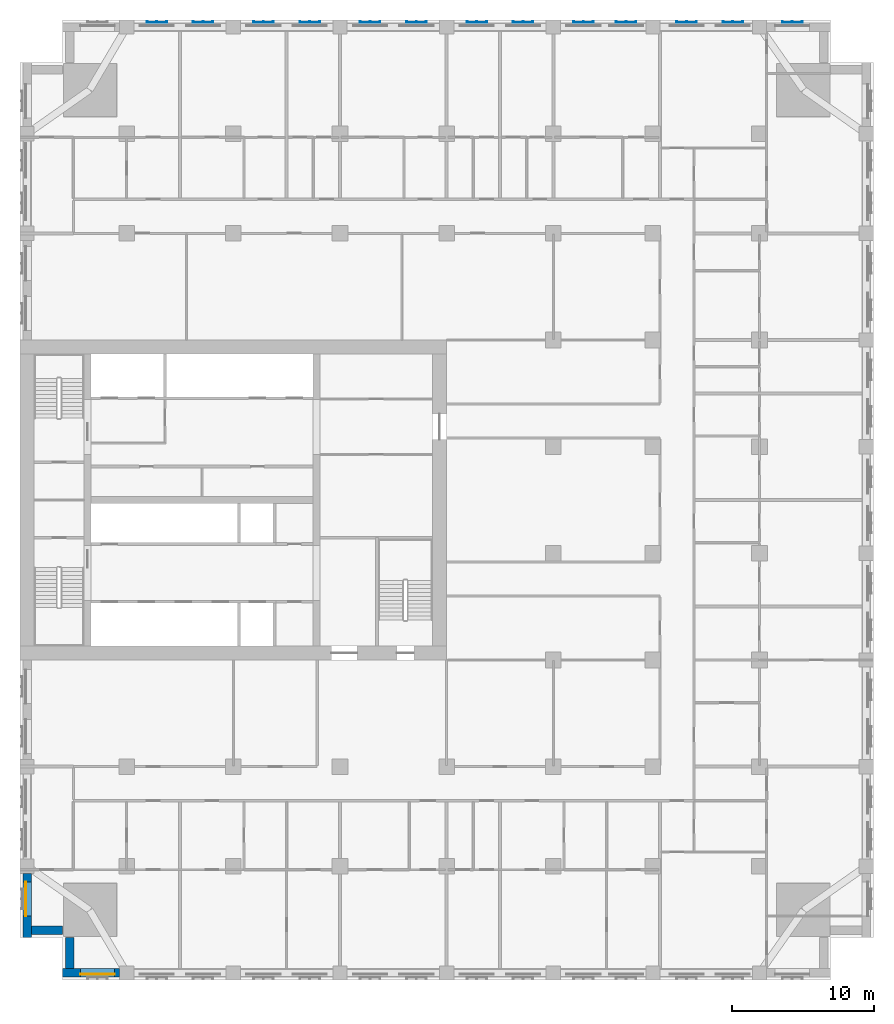
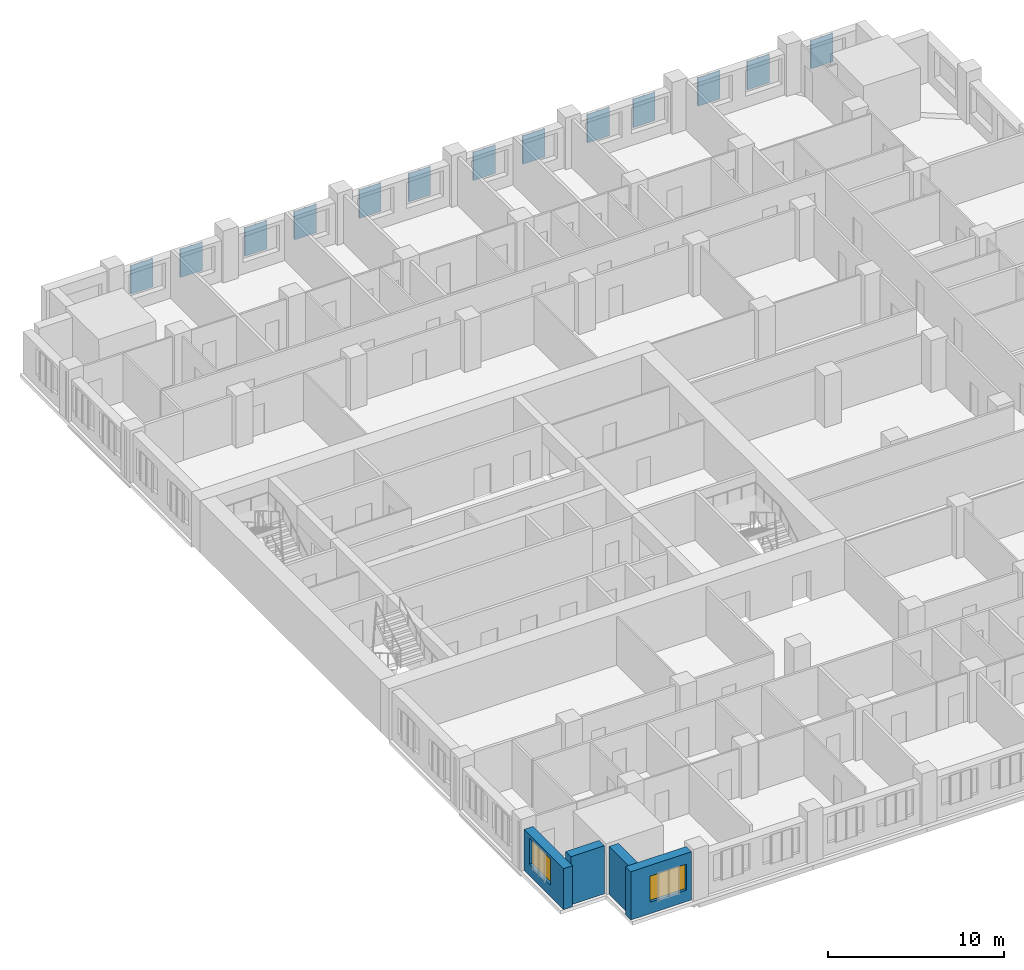
# One storey, part 3 of 14: 13 plates, 4 walls, 2 windows, 2 openings.
"""IFC4 building model written with IfcOpenShell, lengths in metres."""

from ifc_helpers import new_model, si_unit, direction, frame, frame_2d, origin, place, context, subcontext, project, spatial, polyline, rectangle, outline, extrude, material, layer, layer_set, type_object, element, fill, save


model = new_model("IFC4")

# Units and contexts
model_context = context("Model", 3, precision=1e-05, world=origin(), true_north=direction((0.0, 1.0)))
body_context = subcontext(model_context, "Body", "Model", "MODEL_VIEW")
ifc_project = project(units=[si_unit("LENGTHUNIT", "METRE"), si_unit("AREAUNIT", "SQUARE_METRE"), si_unit("VOLUMEUNIT", "CUBIC_METRE"), si_unit("PLANEANGLEUNIT", "RADIAN"), si_unit("MASSUNIT", "GRAM", prefix="KILO")], contexts=[model_context])

# Site, building, storey
site_placement = place(None, origin())
site = spatial("IfcSite", under=ifc_project, at=site_placement, CompositionType="ELEMENT")
building_placement = place(site_placement, origin())
building = spatial("IfcBuilding", under=site, at=building_placement, Name="Tamorin Gate", CompositionType="ELEMENT")
storey_placement = place(building_placement, frame((0.0, 0.0, 79.10009765625)))
storey = spatial("IfcBuildingStorey", under=building, at=storey_placement, Name="L18", CompositionType="ELEMENT", Elevation=79.10009765625)

# Plates
ifc_material_1 = material(Name="Perforated pale aluminium sheet", Category="aluminium")
ifc_layer_1 = layer(ifc_material_1, 0.0400390625)
ifc_layer_set_1 = layer_set([ifc_layer_1], Name="Pale metal solar screen 1440")
plate_type = type_object("IfcPlateType", Name="Pale metal solar screen 1440", PredefinedType="SHEET", material=ifc_layer_set_1)
plate_1_placement = place(storey_placement, frame((0.0, 0.0, 0.7099609375)))
element("IfcPlate", 1, at=plate_1_placement, inside=storey, type_object=plate_type, Name="Perforated solar screen", PredefinedType="SHEET", context=body_context, shape_type="SweptSolid", body=[
    extrude(outline(polyline([(85.02001953125, 104.840087890625), (85.02001953125, 104.800048828125), (84.9599609375, 104.800048828125), (84.330078125, 104.800048828125), (84.27001953125, 104.800048828125), (83.639892578125, 104.800048828125), (83.580078125, 104.800048828125), (83.580078125, 104.840087890625), (83.580078125, 104.89990234375), (83.639892578125, 104.89990234375), (83.639892578125, 104.840087890625), (84.27001953125, 104.840087890625), (84.27001953125, 104.89990234375), (84.330078125, 104.89990234375), (84.330078125, 104.840087890625), (84.9599609375, 104.840087890625), (84.9599609375, 104.89990234375), (85.02001953125, 104.89990234375), (85.02001953125, 104.840087890625)])), origin(), (0.0, 0.0, 1.0), 1.97998046875),
])
plate_2_placement = place(storey_placement, frame((0.0, 0.0, 0.7099609375)))
element("IfcPlate", 2, at=plate_2_placement, inside=storey, type_object=plate_type, Name="Perforated solar screen", PredefinedType="SHEET", context=body_context, shape_type="SweptSolid", body=[
    extrude(outline(polyline([(77.594970703125, 104.840087890625), (77.594970703125, 104.800048828125), (77.534912109375, 104.800048828125), (76.905029296875, 104.800048828125), (76.844970703125, 104.800048828125), (76.215087890625, 104.800048828125), (76.155029296875, 104.800048828125), (76.155029296875, 104.840087890625), (76.155029296875, 104.89990234375), (76.215087890625, 104.89990234375), (76.215087890625, 104.840087890625), (76.844970703125, 104.840087890625), (76.844970703125, 104.89990234375), (76.905029296875, 104.89990234375), (76.905029296875, 104.840087890625), (77.534912109375, 104.840087890625), (77.534912109375, 104.89990234375), (77.594970703125, 104.89990234375), (77.594970703125, 104.840087890625)])), origin(), (0.0, 0.0, 1.0), 1.97998046875),
])
plate_3_placement = place(storey_placement, frame((0.0, 0.0, 0.7099609375)))
element("IfcPlate", 3, at=plate_3_placement, inside=storey, type_object=plate_type, Name="Perforated solar screen", PredefinedType="SHEET", context=body_context, shape_type="SweptSolid", body=[
    extrude(outline(polyline([(80.844970703125, 104.840087890625), (80.844970703125, 104.800048828125), (80.784912109375, 104.800048828125), (80.155029296875, 104.800048828125), (80.094970703125, 104.800048828125), (79.465087890625, 104.800048828125), (79.405029296875, 104.800048828125), (79.405029296875, 104.800048828125), (79.405029296875, 104.840087890625), (79.405029296875, 104.840087890625), (79.405029296875, 104.89990234375), (79.465087890625, 104.89990234375), (79.465087890625, 104.840087890625), (80.094970703125, 104.840087890625), (80.094970703125, 104.89990234375), (80.155029296875, 104.89990234375), (80.155029296875, 104.840087890625), (80.784912109375, 104.840087890625), (80.784912109375, 104.89990234375), (80.844970703125, 104.89990234375), (80.844970703125, 104.840087890625)])), origin(), (0.0, 0.0, 1.0), 1.97998046875),
])
plate_4_placement = place(storey_placement, frame((0.0, 0.0, 0.7099609375)))
element("IfcPlate", 4, at=plate_4_placement, inside=storey, type_object=plate_type, Name="Perforated solar screen", PredefinedType="SHEET", context=body_context, shape_type="SweptSolid", body=[
    extrude(outline(polyline([(70.344970703125, 104.840087890625), (70.344970703125, 104.800048828125), (70.284912109375, 104.800048828125), (69.655029296875, 104.800048828125), (69.594970703125, 104.800048828125), (68.965087890625, 104.800048828125), (68.905029296875, 104.800048828125), (68.905029296875, 104.840087890625), (68.905029296875, 104.89990234375), (68.965087890625, 104.89990234375), (68.965087890625, 104.840087890625), (69.594970703125, 104.840087890625), (69.594970703125, 104.89990234375), (69.655029296875, 104.89990234375), (69.655029296875, 104.840087890625), (70.284912109375, 104.840087890625), (70.284912109375, 104.89990234375), (70.344970703125, 104.89990234375), (70.344970703125, 104.840087890625)])), origin(), (0.0, 0.0, 1.0), 1.97998046875),
])
plate_5_placement = place(storey_placement, frame((0.0, 0.0, 0.7099609375)))
element("IfcPlate", 5, at=plate_5_placement, inside=storey, type_object=plate_type, Name="Perforated solar screen", PredefinedType="SHEET", context=body_context, shape_type="SweptSolid", body=[
    extrude(outline(polyline([(73.344970703125, 104.840087890625), (73.344970703125, 104.800048828125), (73.284912109375, 104.800048828125), (72.655029296875, 104.800048828125), (72.594970703125, 104.800048828125), (71.965087890625, 104.800048828125), (71.905029296875, 104.800048828125), (71.905029296875, 104.840087890625), (71.905029296875, 104.89990234375), (71.965087890625, 104.89990234375), (71.965087890625, 104.840087890625), (72.594970703125, 104.840087890625), (72.594970703125, 104.89990234375), (72.655029296875, 104.89990234375), (72.655029296875, 104.840087890625), (73.284912109375, 104.840087890625), (73.284912109375, 104.89990234375), (73.344970703125, 104.89990234375), (73.344970703125, 104.840087890625)])), origin(), (0.0, 0.0, 1.0), 1.97998046875),
])
plate_6_placement = place(storey_placement, frame((0.0, 0.0, 0.7099609375)))
element("IfcPlate", 6, at=plate_6_placement, inside=storey, type_object=plate_type, Name="Perforated solar screen", PredefinedType="SHEET", context=body_context, shape_type="SweptSolid", body=[
    extrude(outline(polyline([(62.844970703125, 104.840087890625), (62.844970703125, 104.800048828125), (62.784912109375, 104.800048828125), (62.155029296875, 104.800048828125), (62.094970703125, 104.800048828125), (61.465087890625, 104.800048828125), (61.405029296875, 104.800048828125), (61.405029296875, 104.840087890625), (61.405029296875, 104.89990234375), (61.465087890625, 104.89990234375), (61.465087890625, 104.840087890625), (62.094970703125, 104.840087890625), (62.094970703125, 104.89990234375), (62.155029296875, 104.89990234375), (62.155029296875, 104.840087890625), (62.784912109375, 104.840087890625), (62.784912109375, 104.89990234375), (62.844970703125, 104.89990234375), (62.844970703125, 104.840087890625)])), origin(), (0.0, 0.0, 1.0), 1.97998046875),
])
plate_7_placement = place(storey_placement, frame((0.0, 0.0, 0.7099609375)))
element("IfcPlate", 7, at=plate_7_placement, inside=storey, type_object=plate_type, Name="Perforated solar screen", PredefinedType="SHEET", context=body_context, shape_type="SweptSolid", body=[
    extrude(outline(polyline([(66.094970703125, 104.840087890625), (66.094970703125, 104.800048828125), (66.034912109375, 104.800048828125), (65.405029296875, 104.800048828125), (65.344970703125, 104.800048828125), (64.715087890625, 104.800048828125), (64.655029296875, 104.800048828125), (64.655029296875, 104.840087890625), (64.655029296875, 104.89990234375), (64.715087890625, 104.89990234375), (64.715087890625, 104.840087890625), (65.344970703125, 104.840087890625), (65.344970703125, 104.89990234375), (65.405029296875, 104.89990234375), (65.405029296875, 104.840087890625), (66.034912109375, 104.840087890625), (66.034912109375, 104.89990234375), (66.094970703125, 104.89990234375), (66.094970703125, 104.840087890625)])), origin(), (0.0, 0.0, 1.0), 1.97998046875),
])
plate_8_placement = place(storey_placement, frame((0.0, 0.0, 0.7099609375)))
element("IfcPlate", 8, at=plate_8_placement, inside=storey, type_object=plate_type, Name="Perforated solar screen", PredefinedType="SHEET", context=body_context, shape_type="SweptSolid", body=[
    extrude(outline(polyline([(55.344970703125, 104.840087890625), (55.344970703125, 104.800048828125), (55.284912109375, 104.800048828125), (54.655029296875, 104.800048828125), (54.594970703125, 104.800048828125), (53.965087890625, 104.800048828125), (53.905029296875, 104.800048828125), (53.905029296875, 104.840087890625), (53.905029296875, 104.89990234375), (53.965087890625, 104.89990234375), (53.965087890625, 104.840087890625), (54.594970703125, 104.840087890625), (54.594970703125, 104.89990234375), (54.655029296875, 104.89990234375), (54.655029296875, 104.840087890625), (55.284912109375, 104.840087890625), (55.284912109375, 104.89990234375), (55.344970703125, 104.89990234375), (55.344970703125, 104.840087890625)])), origin(), (0.0, 0.0, 1.0), 1.97998046875),
])
plate_9_placement = place(storey_placement, frame((0.0, 0.0, 0.7099609375)))
element("IfcPlate", 9, at=plate_9_placement, inside=storey, type_object=plate_type, Name="Perforated solar screen", PredefinedType="SHEET", context=body_context, shape_type="SweptSolid", body=[
    extrude(outline(polyline([(58.594970703125, 104.840087890625), (58.594970703125, 104.800048828125), (58.534912109375, 104.800048828125), (57.905029296875, 104.800048828125), (57.844970703125, 104.800048828125), (57.215087890625, 104.800048828125), (57.155029296875, 104.800048828125), (57.155029296875, 104.840087890625), (57.155029296875, 104.89990234375), (57.215087890625, 104.89990234375), (57.215087890625, 104.840087890625), (57.844970703125, 104.840087890625), (57.844970703125, 104.89990234375), (57.905029296875, 104.89990234375), (57.905029296875, 104.840087890625), (58.534912109375, 104.840087890625), (58.534912109375, 104.89990234375), (58.594970703125, 104.89990234375), (58.594970703125, 104.840087890625)])), origin(), (0.0, 0.0, 1.0), 1.97998046875),
])
plate_10_placement = place(storey_placement, frame((0.0, 0.0, 0.7099609375)))
element("IfcPlate", 10, at=plate_10_placement, inside=storey, type_object=plate_type, Name="Perforated solar screen", PredefinedType="SHEET", context=body_context, shape_type="SweptSolid", body=[
    extrude(outline(polyline([(47.844970703125, 104.840087890625), (47.844970703125, 104.800048828125), (47.784912109375, 104.800048828125), (47.155029296875, 104.800048828125), (47.094970703125, 104.800048828125), (46.465087890625, 104.800048828125), (46.405029296875, 104.800048828125), (46.405029296875, 104.840087890625), (46.405029296875, 104.89990234375), (46.465087890625, 104.89990234375), (46.465087890625, 104.840087890625), (47.094970703125, 104.840087890625), (47.094970703125, 104.89990234375), (47.155029296875, 104.89990234375), (47.155029296875, 104.840087890625), (47.784912109375, 104.840087890625), (47.784912109375, 104.89990234375), (47.844970703125, 104.89990234375), (47.844970703125, 104.840087890625)])), origin(), (0.0, 0.0, 1.0), 1.97998046875),
])
plate_11_placement = place(storey_placement, frame((0.0, 0.0, 0.7099609375)))
element("IfcPlate", 11, at=plate_11_placement, inside=storey, type_object=plate_type, Name="Perforated solar screen", PredefinedType="SHEET", context=body_context, shape_type="SweptSolid", body=[
    extrude(outline(polyline([(51.094970703125, 104.840087890625), (51.094970703125, 104.800048828125), (51.034912109375, 104.800048828125), (50.405029296875, 104.800048828125), (50.344970703125, 104.800048828125), (49.715087890625, 104.800048828125), (49.655029296875, 104.800048828125), (49.655029296875, 104.840087890625), (49.655029296875, 104.89990234375), (49.715087890625, 104.89990234375), (49.715087890625, 104.840087890625), (50.344970703125, 104.840087890625), (50.344970703125, 104.89990234375), (50.405029296875, 104.89990234375), (50.405029296875, 104.840087890625), (51.034912109375, 104.840087890625), (51.034912109375, 104.89990234375), (51.094970703125, 104.89990234375), (51.094970703125, 104.840087890625)])), origin(), (0.0, 0.0, 1.0), 1.97998046875),
])
plate_12_placement = place(storey_placement, frame((0.0, 0.0, 0.7099609375)))
element("IfcPlate", 12, at=plate_12_placement, inside=storey, type_object=plate_type, Name="Perforated solar screen", PredefinedType="SHEET", context=body_context, shape_type="SweptSolid", body=[
    extrude(outline(polyline([(40.344970703125, 104.840087890625), (40.344970703125, 104.800048828125), (40.284912109375, 104.800048828125), (39.655029296875, 104.800048828125), (39.594970703125, 104.800048828125), (38.965087890625, 104.800048828125), (38.905029296875, 104.800048828125), (38.905029296875, 104.840087890625), (38.905029296875, 104.89990234375), (38.965087890625, 104.89990234375), (38.965087890625, 104.840087890625), (39.594970703125, 104.840087890625), (39.594970703125, 104.89990234375), (39.655029296875, 104.89990234375), (39.655029296875, 104.840087890625), (40.284912109375, 104.840087890625), (40.284912109375, 104.89990234375), (40.344970703125, 104.89990234375), (40.344970703125, 104.840087890625)])), origin(), (0.0, 0.0, 1.0), 1.97998046875),
])
plate_13_placement = place(storey_placement, frame((0.0, 0.0, 0.7099609375)))
element("IfcPlate", 13, at=plate_13_placement, inside=storey, type_object=plate_type, Name="Perforated solar screen", PredefinedType="SHEET", context=body_context, shape_type="SweptSolid", body=[
    extrude(outline(polyline([(43.594970703125, 104.840087890625), (43.594970703125, 104.800048828125), (43.534912109375, 104.800048828125), (42.905029296875, 104.800048828125), (42.844970703125, 104.800048828125), (42.215087890625, 104.800048828125), (42.155029296875, 104.800048828125), (42.155029296875, 104.840087890625), (42.155029296875, 104.89990234375), (42.215087890625, 104.89990234375), (42.215087890625, 104.840087890625), (42.844970703125, 104.840087890625), (42.844970703125, 104.89990234375), (42.905029296875, 104.89990234375), (42.905029296875, 104.840087890625), (43.534912109375, 104.840087890625), (43.534912109375, 104.89990234375), (43.594970703125, 104.89990234375), (43.594970703125, 104.840087890625)])), origin(), (0.0, 0.0, 1.0), 1.97998046875),
])

# Wall, opening, window
ifc_material_2 = material(Name="Precast concrete C40/50", Category="concrete")
ifc_layer_2 = layer(ifc_material_2, 0.60009765625)
ifc_layer_set_2 = layer_set([ifc_layer_2], Name="Precast concrete C40/50")
wall_type = type_object("IfcWallType", Name="Board-marked concrete facade panel 600", PredefinedType="SOLIDWALL", material=ifc_layer_set_2)
wall_1_placement = place(storey_placement, frame((33.0, 38.0, 0.0), z_axis=(0.0, 0.0, 1.0), x_axis=(1.0, 0.0, 0.0)))
wall_1 = element("IfcWall", 14, at=wall_1_placement, inside=storey, type_object=wall_type, Name="Facade panel", PredefinedType="SOLIDWALL", context=body_context, shape_type="SweptSolid", body=[
    extrude(rectangle(XDim=4.0, YDim=0.60009765625, at=frame_2d((2.0, 0.0))), origin(), (0.0, 0.0, 1.0), 3.349853515625),
])
opening_1_placement = place(wall_1_placement, frame((1.25, 0.0, 0.800048828125)))
opening_1 = element("IfcOpeningElement", 15, at=opening_1_placement, cuts=wall_1, Name="Opening WN1", PredefinedType="OPENING", context=body_context, shape_type="SweptSolid", body=[
    extrude(rectangle(XDim=2.39990234375, YDim=1.800048828125, at=frame_2d((1.199951171875, 0.89990234375))), frame((0.0, 0.31005859375, 0.0), z_axis=(0.0, -1.0, 0.0), x_axis=(1.0, 0.0, 0.0)), (0.0, 0.0, 1.0), 0.6201171875),
])
ifc_material_3 = material(Name="Clear glass in aluminium frame", Category="aluminium")
window_type = type_object("IfcWindowType", Name="Deep-set window 2400x1800", PartitioningType="SINGLE_PANEL", PredefinedType="WINDOW", material=ifc_material_3)
window_1_placement = place(opening_1_placement, origin())
window_1 = element("IfcWindow", 16, at=window_1_placement, inside=storey, type_object=window_type, Name="Deep-set window", OverallHeight=1.800048828125, OverallWidth=2.39990234375, PartitioningType="SINGLE_PANEL", PredefinedType="WINDOW", context=body_context, shape_type="SweptSolid", body=[
    extrude(rectangle(XDim=2.39990234375, YDim=1.800048828125, at=frame_2d((1.199951171875, 0.89990234375))), frame((0.0, -0.070068359375, 0.0), z_axis=(0.0, -1.0, 0.0), x_axis=(1.0, 0.0, 0.0)), (0.0, 0.0, 1.0), 0.06005859375),
])
fill(opening_1, window_1)

wall_2_placement = place(storey_placement, frame((30.5, 45.0, 0.0), z_axis=(0.0, 0.0, 1.0), x_axis=(0.0, -1.0, 0.0)))
wall_2 = element("IfcWall", 17, at=wall_2_placement, inside=storey, type_object=wall_type, Name="Facade panel", PredefinedType="SOLIDWALL", context=body_context, shape_type="SweptSolid", body=[
    extrude(rectangle(XDim=4.5, YDim=0.60009765625, at=frame_2d((2.25, 0.0))), origin(), (0.0, 0.0, 1.0), 2.849853515625),
])
opening_2_placement = place(wall_2_placement, frame((0.60009765625, 0.0, 0.800048828125)))
opening_2 = element("IfcOpeningElement", 18, at=opening_2_placement, cuts=wall_2, Name="Opening WN1", PredefinedType="OPENING", context=body_context, shape_type="SweptSolid", body=[
    extrude(rectangle(XDim=2.39990234375, YDim=1.800048828125, at=frame_2d((1.199951171875, 0.89990234375))), frame((0.0, 0.31005859375, 0.0), z_axis=(0.0, -1.0, 0.0), x_axis=(1.0, 0.0, 0.0)), (0.0, 0.0, 1.0), 0.6201171875),
])
window_2_placement = place(opening_2_placement, origin())
window_2 = element("IfcWindow", 19, at=window_2_placement, inside=storey, type_object=window_type, Name="Deep-set window", OverallHeight=1.800048828125, OverallWidth=2.39990234375, PartitioningType="SINGLE_PANEL", PredefinedType="WINDOW", context=body_context, shape_type="SweptSolid", body=[
    extrude(rectangle(XDim=2.39990234375, YDim=1.800048828125, at=frame_2d((1.199951171875, 0.89990234375))), frame((0.0, -0.070068359375, 0.0), z_axis=(0.0, -1.0, 0.0), x_axis=(1.0, 0.0, 0.0)), (0.0, 0.0, 1.0), 0.06005859375),
])
fill(opening_2, window_2)

# Walls
for number, where, z_axis, x_axis, name in (
    (20, (30.800048828125, 41.0, 0.0), (0.0, 0.0, 1.0), (1.0, 0.0, 0.0), "Facade panel"),
    (21, (33.5, 40.5, 0.0), (0.0, 0.0, 1.0), (0.0, -1.0, 0.0), "Facade panel"),
):
    element("IfcWall", number, at=place(storey_placement, frame(where, z_axis=z_axis, x_axis=x_axis)), inside=storey, type_object=wall_type, Name=name, PredefinedType="SOLIDWALL", context=body_context, shape_type="SweptSolid", body=[
        extrude(rectangle(XDim=2.199951171875, YDim=0.60009765625, at=frame_2d((1.10009765625, 0.0))), origin(), (0.0, 0.0, 1.0), 3.349853515625),
    ])

save(model, "model.ifc")
